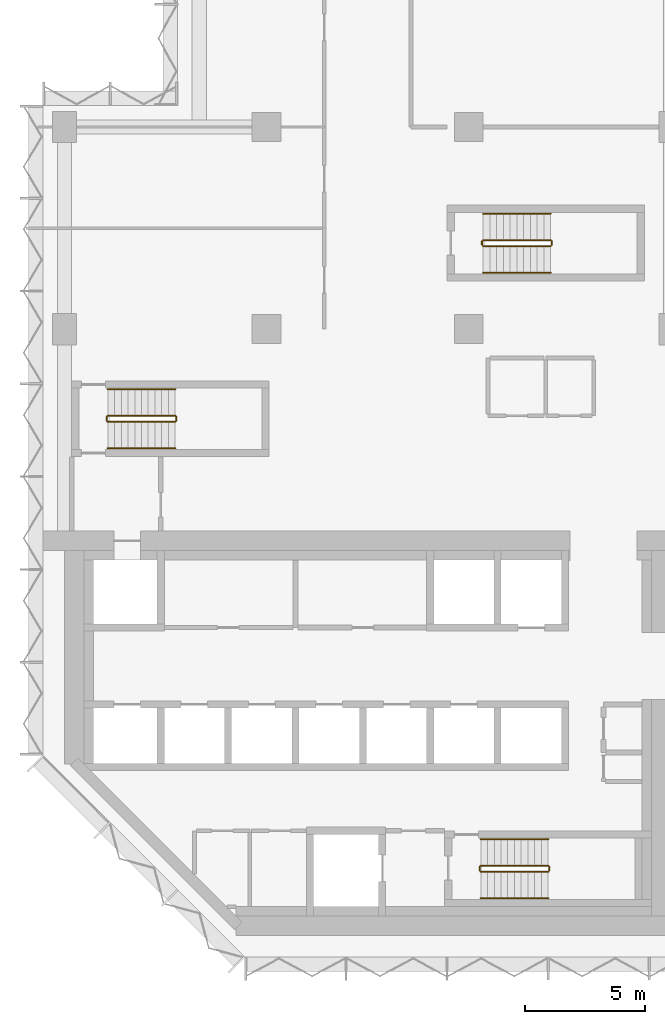
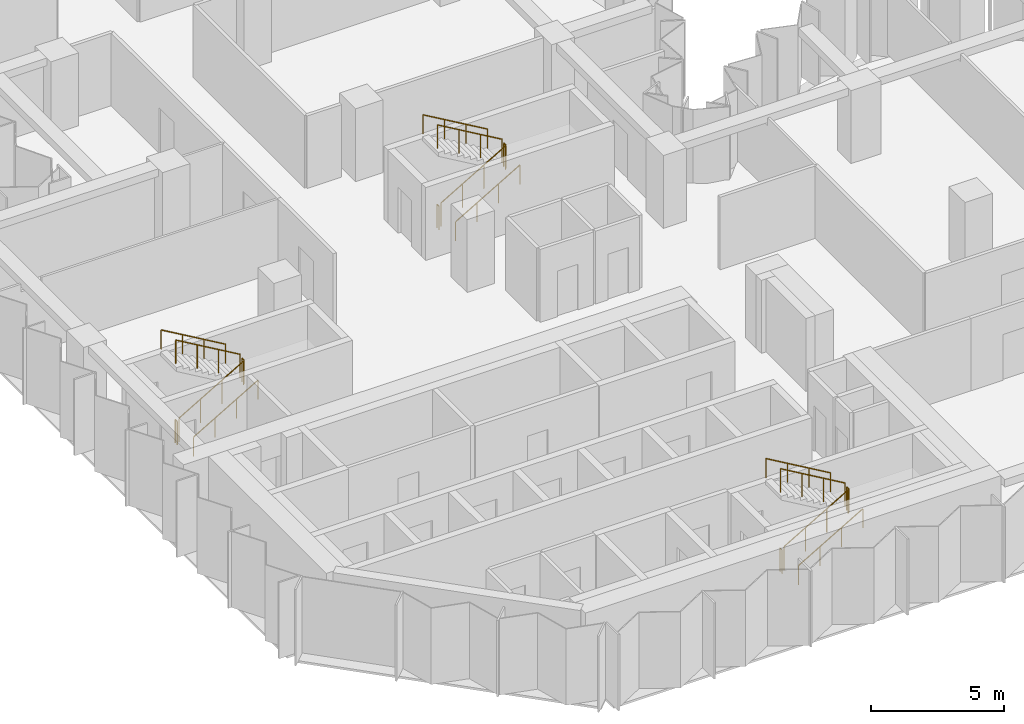
# One storey, part 10 of 11: 18 railings.
"""IFC4 building model written with IfcOpenShell, lengths in metres."""

from ifc_helpers import new_model, si_unit, direction, frame, origin, origin_2d, place, context, subcontext, project, spatial, circle, extrude, material, type_object, element, save


model = new_model("IFC4")

# Units and contexts
model_context = context("Model", 3, precision=1e-05, world=origin(), true_north=direction((0.0, 1.0)))
body_context = subcontext(model_context, "Body", "Model", "MODEL_VIEW")
ifc_project = project(units=[si_unit("LENGTHUNIT", "METRE"), si_unit("AREAUNIT", "SQUARE_METRE"), si_unit("VOLUMEUNIT", "CUBIC_METRE"), si_unit("PLANEANGLEUNIT", "RADIAN"), si_unit("MASSUNIT", "GRAM", prefix="KILO")], contexts=[model_context])

# Site, building, storey
site_placement = place(None, origin())
site = spatial("IfcSite", under=ifc_project, at=site_placement, CompositionType="ELEMENT")
building_placement = place(site_placement, origin())
building = spatial("IfcBuilding", under=site, at=building_placement, Name="Brevane Broadcast Tower", CompositionType="ELEMENT")
storey_placement = place(building_placement, frame((0.0, 0.0, 145.699951171875)))
storey = spatial("IfcBuildingStorey", under=building, at=storey_placement, Name="L36", CompositionType="ELEMENT", Elevation=145.699951171875)

# Railings
ifc_material = material(Name="Steel S355", Category="steel")
railing_type_1 = type_object("IfcRailingType", Name="Exit stair guard", PredefinedType="GUARDRAIL", material=ifc_material)
railing_1_placement = place(storey_placement, frame((1.800048828125, 21.35009765625, 0.16357421875)))
element("IfcRailing", 1, at=railing_1_placement, inside=storey, type_object=railing_type_1, Name="L36 ST-1 stair guard 1", PredefinedType="GUARDRAIL", context=body_context, shape_type="SweptSolid", body=[
    extrude(circle(Radius=0.02392578125, at=origin_2d()), frame((0.0, 0.0, 1.076171875), z_axis=(0.863360870873, 0.0, 0.504586966384), x_axis=(0.0, 1.0, 0.0)), (0.0, 0.0, 1.0), 3.2431640625),
    extrude(circle(Radius=0.02099609375, at=origin_2d()), origin(), (0.0, 0.0, 1.0), 1.052001953125),
    extrude(circle(Radius=0.02099609375, at=origin_2d()), frame((0.933349609375, 0.0, 0.54541015625)), (0.0, 0.0, 1.0), 1.052001953125),
    extrude(circle(Radius=0.02099609375, at=origin_2d()), frame((1.86669921875, 0.0, 1.091064453125)), (0.0, 0.0, 1.0), 1.052001953125),
    extrude(circle(Radius=0.02099609375, at=origin_2d()), frame((2.800048828125, 0.0, 1.636474609375)), (0.0, 0.0, 1.0), 1.052001953125),
])
railing_2_placement = place(storey_placement, frame((4.64990234375, 21.39990234375, 1.800048828125)))
element("IfcRailing", 2, at=railing_2_placement, inside=storey, type_object=railing_type_1, Name="L36 ST-1 stair guard 2", PredefinedType="GUARDRAIL", context=body_context, shape_type="SweptSolid", body=[
    extrude(circle(Radius=0.02392578125, at=origin_2d()), frame((0.0, 0.0, 1.076171875), z_axis=(0.0, 1.0, 0.0), x_axis=(-1.0, 0.0, 0.0)), (0.0, 0.0, 1.0), 0.150146484375),
    extrude(circle(Radius=0.02099609375, at=origin_2d()), origin(), (0.0, 0.0, 1.0), 1.052001953125),
    extrude(circle(Radius=0.02099609375, at=origin_2d()), frame((0.0, 0.150146484375, 0.0)), (0.0, 0.0, 1.0), 1.052001953125),
])
railing_3_placement = place(storey_placement, frame((4.60009765625, 21.60009765625, 1.963623046875)))
element("IfcRailing", 3, at=railing_3_placement, inside=storey, type_object=railing_type_1, Name="L36 ST-1 stair guard 3", PredefinedType="GUARDRAIL", context=body_context, shape_type="SweptSolid", body=[
    extrude(circle(Radius=0.02392578125, at=origin_2d()), frame((0.0, 0.0, 1.076171875), z_axis=(-0.863360870873, 0.0, 0.504586966384), x_axis=(0.0, -1.0, 0.0)), (0.0, 0.0, 1.0), 3.2431640625),
    extrude(circle(Radius=0.02099609375, at=origin_2d()), origin(), (0.0, 0.0, 1.0), 1.052001953125),
    extrude(circle(Radius=0.02099609375, at=origin_2d()), frame((-0.933349609375, 0.0, 0.54541015625)), (0.0, 0.0, 1.0), 1.052001953125),
    extrude(circle(Radius=0.02099609375, at=origin_2d()), frame((-1.86669921875, 0.0, 1.091064453125)), (0.0, 0.0, 1.0), 1.052001953125),
    extrude(circle(Radius=0.02099609375, at=origin_2d()), frame((-2.800048828125, 0.0, 1.636474609375)), (0.0, 0.0, 1.0), 1.052001953125),
])
railing_4_placement = place(storey_placement, frame((1.75, 21.39990234375, 0.0)))
element("IfcRailing", 4, at=railing_4_placement, inside=storey, type_object=railing_type_1, Name="L36 ST-1 stair guard 4", PredefinedType="GUARDRAIL", context=body_context, shape_type="SweptSolid", body=[
    extrude(circle(Radius=0.02392578125, at=origin_2d()), frame((0.0, 0.0, 1.076171875), z_axis=(0.0, 1.0, 0.0), x_axis=(-1.0, 0.0, 0.0)), (0.0, 0.0, 1.0), 0.150146484375),
    extrude(circle(Radius=0.02099609375, at=origin_2d()), origin(), (0.0, 0.0, 1.0), 1.052001953125),
    extrude(circle(Radius=0.02099609375, at=origin_2d()), frame((0.0, 0.150146484375, 0.0)), (0.0, 0.0, 1.0), 1.052001953125),
])
railing_5_placement = place(storey_placement, frame((17.300048828125, 2.64990234375, 0.16357421875)))
element("IfcRailing", 5, at=railing_5_placement, inside=storey, type_object=railing_type_1, Name="L36 ST-2 stair guard 1", PredefinedType="GUARDRAIL", context=body_context, shape_type="SweptSolid", body=[
    extrude(circle(Radius=0.02392578125, at=origin_2d()), frame((0.0, 0.0, 1.076171875), z_axis=(0.863360870873, 0.0, 0.504586966384), x_axis=(0.0, 1.0, 0.0)), (0.0, 0.0, 1.0), 3.2431640625),
    extrude(circle(Radius=0.02099609375, at=origin_2d()), origin(), (0.0, 0.0, 1.0), 1.052001953125),
    extrude(circle(Radius=0.02099609375, at=origin_2d()), frame((0.933349609375, 0.0, 0.54541015625)), (0.0, 0.0, 1.0), 1.052001953125),
    extrude(circle(Radius=0.02099609375, at=origin_2d()), frame((1.86669921875, 0.0, 1.091064453125)), (0.0, 0.0, 1.0), 1.052001953125),
    extrude(circle(Radius=0.02099609375, at=origin_2d()), frame((2.800048828125, 0.0, 1.636474609375)), (0.0, 0.0, 1.0), 1.052001953125),
])
railing_6_placement = place(storey_placement, frame((20.14990234375, 2.699951171875, 1.800048828125)))
element("IfcRailing", 6, at=railing_6_placement, inside=storey, type_object=railing_type_1, Name="L36 ST-2 stair guard 2", PredefinedType="GUARDRAIL", context=body_context, shape_type="SweptSolid", body=[
    extrude(circle(Radius=0.02392578125, at=origin_2d()), frame((0.0, 0.0, 1.076171875), z_axis=(0.0, 1.0, 0.0), x_axis=(-1.0, 0.0, 0.0)), (0.0, 0.0, 1.0), 0.150146484375),
    extrude(circle(Radius=0.02099609375, at=origin_2d()), origin(), (0.0, 0.0, 1.0), 1.052001953125),
    extrude(circle(Radius=0.02099609375, at=origin_2d()), frame((0.0, 0.150146484375, 0.0)), (0.0, 0.0, 1.0), 1.052001953125),
])
railing_7_placement = place(storey_placement, frame((20.10009765625, 2.89990234375, 1.963623046875)))
element("IfcRailing", 7, at=railing_7_placement, inside=storey, type_object=railing_type_1, Name="L36 ST-2 stair guard 3", PredefinedType="GUARDRAIL", context=body_context, shape_type="SweptSolid", body=[
    extrude(circle(Radius=0.02392578125, at=origin_2d()), frame((0.0, 0.0, 1.076171875), z_axis=(-0.863360870873, 0.0, 0.504586966384), x_axis=(0.0, -1.0, 0.0)), (0.0, 0.0, 1.0), 3.2431640625),
    extrude(circle(Radius=0.02099609375, at=origin_2d()), origin(), (0.0, 0.0, 1.0), 1.052001953125),
    extrude(circle(Radius=0.02099609375, at=origin_2d()), frame((-0.933349609375, 0.0, 0.54541015625)), (0.0, 0.0, 1.0), 1.052001953125),
    extrude(circle(Radius=0.02099609375, at=origin_2d()), frame((-1.86669921875, 0.0, 1.091064453125)), (0.0, 0.0, 1.0), 1.052001953125),
    extrude(circle(Radius=0.02099609375, at=origin_2d()), frame((-2.800048828125, 0.0, 1.636474609375)), (0.0, 0.0, 1.0), 1.052001953125),
])
railing_8_placement = place(storey_placement, frame((17.25, 2.699951171875, 0.0)))
element("IfcRailing", 8, at=railing_8_placement, inside=storey, type_object=railing_type_1, Name="L36 ST-2 stair guard 4", PredefinedType="GUARDRAIL", context=body_context, shape_type="SweptSolid", body=[
    extrude(circle(Radius=0.02392578125, at=origin_2d()), frame((0.0, 0.0, 1.076171875), z_axis=(0.0, 1.0, 0.0), x_axis=(-1.0, 0.0, 0.0)), (0.0, 0.0, 1.0), 0.150146484375),
    extrude(circle(Radius=0.02099609375, at=origin_2d()), origin(), (0.0, 0.0, 1.0), 1.052001953125),
    extrude(circle(Radius=0.02099609375, at=origin_2d()), frame((0.0, 0.150146484375, 0.0)), (0.0, 0.0, 1.0), 1.052001953125),
])
railing_9_placement = place(storey_placement, frame((17.39990234375, 28.64990234375, 0.16357421875)))
element("IfcRailing", 9, at=railing_9_placement, inside=storey, type_object=railing_type_1, Name="L36 ST-3 stair guard 1", PredefinedType="GUARDRAIL", context=body_context, shape_type="SweptSolid", body=[
    extrude(circle(Radius=0.02392578125, at=origin_2d()), frame((0.0, 0.0, 1.076171875), z_axis=(0.863360870873, 0.0, 0.504586966384), x_axis=(0.0, 1.0, 0.0)), (0.0, 0.0, 1.0), 3.2431640625),
    extrude(circle(Radius=0.02099609375, at=origin_2d()), origin(), (0.0, 0.0, 1.0), 1.052001953125),
    extrude(circle(Radius=0.02099609375, at=origin_2d()), frame((0.933349609375, 0.0, 0.54541015625)), (0.0, 0.0, 1.0), 1.052001953125),
    extrude(circle(Radius=0.02099609375, at=origin_2d()), frame((1.86669921875, 0.0, 1.091064453125)), (0.0, 0.0, 1.0), 1.052001953125),
    extrude(circle(Radius=0.02099609375, at=origin_2d()), frame((2.800048828125, 0.0, 1.636474609375)), (0.0, 0.0, 1.0), 1.052001953125),
])
railing_10_placement = place(storey_placement, frame((20.25, 28.699951171875, 1.800048828125)))
element("IfcRailing", 10, at=railing_10_placement, inside=storey, type_object=railing_type_1, Name="L36 ST-3 stair guard 2", PredefinedType="GUARDRAIL", context=body_context, shape_type="SweptSolid", body=[
    extrude(circle(Radius=0.02392578125, at=origin_2d()), frame((0.0, 0.0, 1.076171875), z_axis=(0.0, 1.0, 0.0), x_axis=(-1.0, 0.0, 0.0)), (0.0, 0.0, 1.0), 0.150146484375),
    extrude(circle(Radius=0.02099609375, at=origin_2d()), origin(), (0.0, 0.0, 1.0), 1.052001953125),
    extrude(circle(Radius=0.02099609375, at=origin_2d()), frame((0.0, 0.150146484375, 0.0)), (0.0, 0.0, 1.0), 1.052001953125),
])
railing_11_placement = place(storey_placement, frame((20.199951171875, 28.89990234375, 1.963623046875)))
element("IfcRailing", 11, at=railing_11_placement, inside=storey, type_object=railing_type_1, Name="L36 ST-3 stair guard 3", PredefinedType="GUARDRAIL", context=body_context, shape_type="SweptSolid", body=[
    extrude(circle(Radius=0.02392578125, at=origin_2d()), frame((0.0, 0.0, 1.076171875), z_axis=(-0.863360870873, 0.0, 0.504586966384), x_axis=(0.0, -1.0, 0.0)), (0.0, 0.0, 1.0), 3.2431640625),
    extrude(circle(Radius=0.02099609375, at=origin_2d()), origin(), (0.0, 0.0, 1.0), 1.052001953125),
    extrude(circle(Radius=0.02099609375, at=origin_2d()), frame((-0.933349609375, 0.0, 0.54541015625)), (0.0, 0.0, 1.0), 1.052001953125),
    extrude(circle(Radius=0.02099609375, at=origin_2d()), frame((-1.86669921875, 0.0, 1.091064453125)), (0.0, 0.0, 1.0), 1.052001953125),
    extrude(circle(Radius=0.02099609375, at=origin_2d()), frame((-2.800048828125, 0.0, 1.636474609375)), (0.0, 0.0, 1.0), 1.052001953125),
])
railing_12_placement = place(storey_placement, frame((17.35009765625, 28.699951171875, 0.0)))
element("IfcRailing", 12, at=railing_12_placement, inside=storey, type_object=railing_type_1, Name="L36 ST-3 stair guard 4", PredefinedType="GUARDRAIL", context=body_context, shape_type="SweptSolid", body=[
    extrude(circle(Radius=0.02392578125, at=origin_2d()), frame((0.0, 0.0, 1.076171875), z_axis=(0.0, 1.0, 0.0), x_axis=(-1.0, 0.0, 0.0)), (0.0, 0.0, 1.0), 0.150146484375),
    extrude(circle(Radius=0.02099609375, at=origin_2d()), origin(), (0.0, 0.0, 1.0), 1.052001953125),
    extrude(circle(Radius=0.02099609375, at=origin_2d()), frame((0.0, 0.150146484375, 0.0)), (0.0, 0.0, 1.0), 1.052001953125),
])
railing_type_2 = type_object("IfcRailingType", Name="Exit stair handrail", PredefinedType="HANDRAIL", material=ifc_material)
railing_13_placement = place(storey_placement, frame((1.800048828125, 20.25, 0.16357421875)))
element("IfcRailing", 13, at=railing_13_placement, inside=storey, type_object=railing_type_2, Name="L36 ST-1 stair handrail 1", PredefinedType="HANDRAIL", context=body_context, shape_type="SweptSolid", body=[
    extrude(circle(Radius=0.02392578125, at=origin_2d()), frame((0.0, 0.0, 0.8759765625), z_axis=(0.863360870873, 0.0, 0.504586966384), x_axis=(0.0, 1.0, 0.0)), (0.0, 0.0, 1.0), 3.2431640625),
    extrude(circle(Radius=0.02099609375, at=origin_2d()), origin(), (0.0, 0.0, 1.0), 0.851806640625),
    extrude(circle(Radius=0.02099609375, at=origin_2d()), frame((0.933349609375, 0.0, 0.54541015625)), (0.0, 0.0, 1.0), 0.851806640625),
    extrude(circle(Radius=0.02099609375, at=origin_2d()), frame((1.86669921875, 0.0, 1.091064453125)), (0.0, 0.0, 1.0), 0.851806640625),
    extrude(circle(Radius=0.02099609375, at=origin_2d()), frame((2.800048828125, 0.0, 1.636474609375)), (0.0, 0.0, 1.0), 0.851806640625),
])
railing_14_placement = place(storey_placement, frame((4.60009765625, 22.699951171875, 1.963623046875)))
element("IfcRailing", 14, at=railing_14_placement, inside=storey, type_object=railing_type_2, Name="L36 ST-1 stair handrail 2", PredefinedType="HANDRAIL", context=body_context, shape_type="SweptSolid", body=[
    extrude(circle(Radius=0.02392578125, at=origin_2d()), frame((0.0, 0.0, 0.8759765625), z_axis=(-0.863360870873, 0.0, 0.504586966384), x_axis=(0.0, -1.0, 0.0)), (0.0, 0.0, 1.0), 3.2431640625),
    extrude(circle(Radius=0.02099609375, at=origin_2d()), origin(), (0.0, 0.0, 1.0), 0.851806640625),
    extrude(circle(Radius=0.02099609375, at=origin_2d()), frame((-0.933349609375, 0.0, 0.54541015625)), (0.0, 0.0, 1.0), 0.851806640625),
    extrude(circle(Radius=0.02099609375, at=origin_2d()), frame((-1.86669921875, 0.0, 1.091064453125)), (0.0, 0.0, 1.0), 0.851806640625),
    extrude(circle(Radius=0.02099609375, at=origin_2d()), frame((-2.800048828125, 0.0, 1.636474609375)), (0.0, 0.0, 1.0), 0.851806640625),
])
railing_15_placement = place(storey_placement, frame((17.300048828125, 1.550048828125, 0.16357421875)))
element("IfcRailing", 15, at=railing_15_placement, inside=storey, type_object=railing_type_2, Name="L36 ST-2 stair handrail 1", PredefinedType="HANDRAIL", context=body_context, shape_type="SweptSolid", body=[
    extrude(circle(Radius=0.02392578125, at=origin_2d()), frame((0.0, 0.0, 0.8759765625), z_axis=(0.863360870873, 0.0, 0.504586966384), x_axis=(0.0, 1.0, 0.0)), (0.0, 0.0, 1.0), 3.2431640625),
    extrude(circle(Radius=0.02099609375, at=origin_2d()), origin(), (0.0, 0.0, 1.0), 0.851806640625),
    extrude(circle(Radius=0.02099609375, at=origin_2d()), frame((0.933349609375, 0.0, 0.54541015625)), (0.0, 0.0, 1.0), 0.851806640625),
    extrude(circle(Radius=0.02099609375, at=origin_2d()), frame((1.86669921875, 0.0, 1.091064453125)), (0.0, 0.0, 1.0), 0.851806640625),
    extrude(circle(Radius=0.02099609375, at=origin_2d()), frame((2.800048828125, 0.0, 1.636474609375)), (0.0, 0.0, 1.0), 0.851806640625),
])
railing_16_placement = place(storey_placement, frame((20.10009765625, 4.0, 1.963623046875)))
element("IfcRailing", 16, at=railing_16_placement, inside=storey, type_object=railing_type_2, Name="L36 ST-2 stair handrail 2", PredefinedType="HANDRAIL", context=body_context, shape_type="SweptSolid", body=[
    extrude(circle(Radius=0.02392578125, at=origin_2d()), frame((0.0, 0.0, 0.8759765625), z_axis=(-0.863360870873, 0.0, 0.504586966384), x_axis=(0.0, -1.0, 0.0)), (0.0, 0.0, 1.0), 3.2431640625),
    extrude(circle(Radius=0.02099609375, at=origin_2d()), origin(), (0.0, 0.0, 1.0), 0.851806640625),
    extrude(circle(Radius=0.02099609375, at=origin_2d()), frame((-0.933349609375, 0.0, 0.54541015625)), (0.0, 0.0, 1.0), 0.851806640625),
    extrude(circle(Radius=0.02099609375, at=origin_2d()), frame((-1.86669921875, 0.0, 1.091064453125)), (0.0, 0.0, 1.0), 0.851806640625),
    extrude(circle(Radius=0.02099609375, at=origin_2d()), frame((-2.800048828125, 0.0, 1.636474609375)), (0.0, 0.0, 1.0), 0.851806640625),
])
railing_17_placement = place(storey_placement, frame((17.39990234375, 27.550048828125, 0.16357421875)))
element("IfcRailing", 17, at=railing_17_placement, inside=storey, type_object=railing_type_2, Name="L36 ST-3 stair handrail 1", PredefinedType="HANDRAIL", context=body_context, shape_type="SweptSolid", body=[
    extrude(circle(Radius=0.02392578125, at=origin_2d()), frame((0.0, 0.0, 0.8759765625), z_axis=(0.863360870873, 0.0, 0.504586966384), x_axis=(0.0, 1.0, 0.0)), (0.0, 0.0, 1.0), 3.2431640625),
    extrude(circle(Radius=0.02099609375, at=origin_2d()), origin(), (0.0, 0.0, 1.0), 0.851806640625),
    extrude(circle(Radius=0.02099609375, at=origin_2d()), frame((0.933349609375, 0.0, 0.54541015625)), (0.0, 0.0, 1.0), 0.851806640625),
    extrude(circle(Radius=0.02099609375, at=origin_2d()), frame((1.86669921875, 0.0, 1.091064453125)), (0.0, 0.0, 1.0), 0.851806640625),
    extrude(circle(Radius=0.02099609375, at=origin_2d()), frame((2.800048828125, 0.0, 1.636474609375)), (0.0, 0.0, 1.0), 0.851806640625),
])
railing_18_placement = place(storey_placement, frame((20.199951171875, 30.0, 1.963623046875)))
element("IfcRailing", 18, at=railing_18_placement, inside=storey, type_object=railing_type_2, Name="L36 ST-3 stair handrail 2", PredefinedType="HANDRAIL", context=body_context, shape_type="SweptSolid", body=[
    extrude(circle(Radius=0.02392578125, at=origin_2d()), frame((0.0, 0.0, 0.8759765625), z_axis=(-0.863360870873, 0.0, 0.504586966384), x_axis=(0.0, -1.0, 0.0)), (0.0, 0.0, 1.0), 3.2431640625),
    extrude(circle(Radius=0.02099609375, at=origin_2d()), origin(), (0.0, 0.0, 1.0), 0.851806640625),
    extrude(circle(Radius=0.02099609375, at=origin_2d()), frame((-0.933349609375, 0.0, 0.54541015625)), (0.0, 0.0, 1.0), 0.851806640625),
    extrude(circle(Radius=0.02099609375, at=origin_2d()), frame((-1.86669921875, 0.0, 1.091064453125)), (0.0, 0.0, 1.0), 0.851806640625),
    extrude(circle(Radius=0.02099609375, at=origin_2d()), frame((-2.800048828125, 0.0, 1.636474609375)), (0.0, 0.0, 1.0), 0.851806640625),
])

save(model, "model.ifc")
